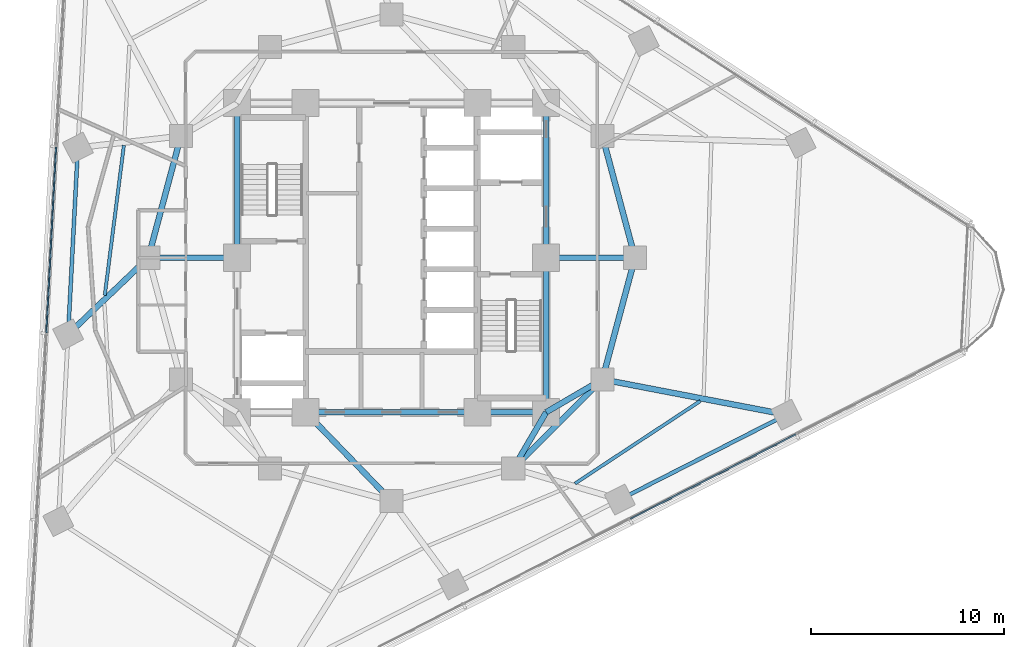
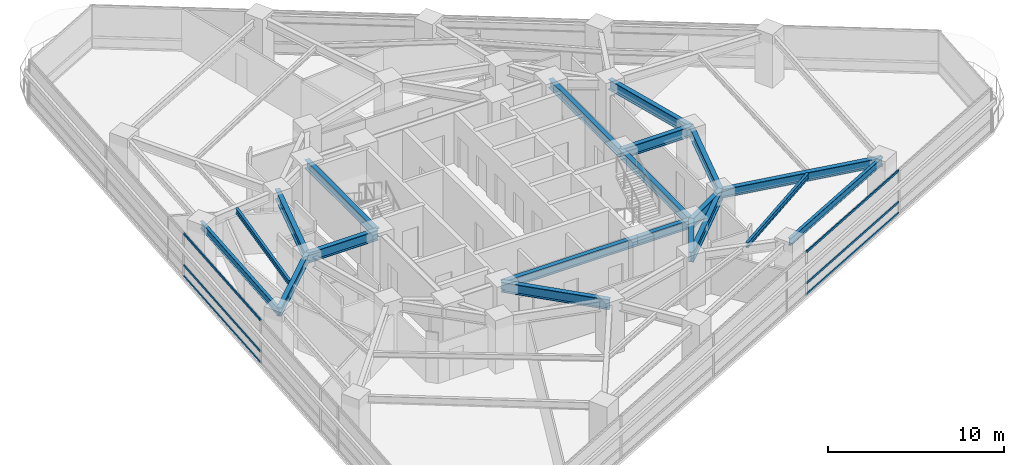
# One storey, part 3 of 14: 20 beams, 6 members, 2 elements without a shape of their own.
"""IFC4 building model written with IfcOpenShell, lengths in metres."""

from ifc_helpers import new_model, si_unit, direction, frame, origin, origin_2d, place, context, subcontext, project, spatial, rectangle, i_section, extrude, material, layer, layer_set, material_profile, profile_set, type_object, element, aggregate, save


model = new_model("IFC4")

# Units and contexts
model_context = context("Model", 3, precision=1e-05, world=origin(), true_north=direction((0.0, 1.0)))
body_context = subcontext(model_context, "Body", "Model", "MODEL_VIEW")
ifc_project = project(units=[si_unit("LENGTHUNIT", "METRE"), si_unit("AREAUNIT", "SQUARE_METRE"), si_unit("VOLUMEUNIT", "CUBIC_METRE"), si_unit("PLANEANGLEUNIT", "RADIAN"), si_unit("MASSUNIT", "GRAM", prefix="KILO")], contexts=[model_context])

# Site, building, storey
site_placement = place(None, origin())
site = spatial("IfcSite", under=ifc_project, at=site_placement, CompositionType="ELEMENT")
building_placement = place(site_placement, origin())
building = spatial("IfcBuilding", under=site, at=building_placement, Name="Terralouvre Media Tower", CompositionType="ELEMENT")
storey_placement = place(building_placement, frame((0.0, 0.0, 134.699951171875)))
storey = spatial("IfcBuildingStorey", under=building, at=storey_placement, Name="L34", CompositionType="ELEMENT", Elevation=134.699951171875)

# Beams
ifc_material_1 = material(Name="Structural steel S355J2", Category="steel")
ifc_material_profile_1 = material_profile(ifc_material_1, i_section(OverallWidth=0.169921875, OverallDepth=0.360107421875, WebThickness=0.008056640625, FlangeThickness=0.0126953125, at=origin_2d()), Name="IPE 360")
ifc_profile_set_1 = profile_set([ifc_material_profile_1], Name="Structural steel S355J2")
beam_type_1 = type_object("IfcBeamType", Name="Composite Floor Joist J-IPE360 (IPE 360)", PredefinedType="JOIST", material=ifc_profile_set_1)
beam_1_placement = place(storey_placement, frame((9.494873046875, -11.69140625, 3.320068359375), z_axis=(0.835078132026, 0.550131360142, 0.0), x_axis=(-0.550131360142, 0.835078132026, 0.0)))
element("IfcBeam", 1, at=beam_1_placement, inside=storey, type_object=beam_type_1, Name="L34 Framing Beam JT-L34-05", PredefinedType="JOIST", context=body_context, shape_type="SweptSolid", body=[
    extrude(i_section(OverallWidth=0.169921875, OverallDepth=0.360107421875, WebThickness=0.008056640625, FlangeThickness=0.0126953125, at=origin_2d()), origin(), (0.0, 0.0, 1.0), 7.75830078125),
])
beam_2_placement = place(storey_placement, frame((-13.864990234375, 5.81787109375, 3.320068359375), z_axis=(-0.126325695796, -0.991988819787, 0.0), x_axis=(0.991988819787, -0.126325695796, 0.0)))
element("IfcBeam", 2, at=beam_2_placement, inside=storey, type_object=beam_type_1, Name="L34 Framing Beam JT-L34-12", PredefinedType="JOIST", context=body_context, shape_type="SweptSolid", body=[
    extrude(i_section(OverallWidth=0.169921875, OverallDepth=0.360107421875, WebThickness=0.008056640625, FlangeThickness=0.0126953125, at=origin_2d()), origin(), (0.0, 0.0, 1.0), 7.8291015625),
])

# Curtain wall, members
ifc_material_2 = material(Name="Low-iron laminated double glazing with solar-control coating", Category="glass")
ifc_layer = layer(ifc_material_2, 0.1650390625, Name="Production Studio Tower Curtain Wall CW-03")
ifc_layer_set = layer_set([ifc_layer], Name="Low-iron laminated double glazing with solar-control coating")
curtain_wall_type = type_object("IfcCurtainWallType", Name="Production Studio Tower Curtain Wall CW-03", PredefinedType="NOTDEFINED", material=ifc_layer_set)
curtain_wall_1_placement = place(storey_placement, origin())
curtain_wall_1 = element("IfcCurtainWall", 3, at=curtain_wall_1_placement, inside=storey, type_object=curtain_wall_type, Name="L34 Facade Curtain Wall F0", PredefinedType="NOTDEFINED")
ifc_material_3 = material(Name="Anodised extruded aluminium 6063-T6", Category="aluminium")
ifc_material_profile_2 = material_profile(ifc_material_3, rectangle(XDim=0.074951171875, YDim=0.14990234375, at=origin_2d()), Name="ALU 75x150")
ifc_profile_set_2 = profile_set([ifc_material_profile_2], Name="Anodised extruded aluminium 6063-T6")
member_type = type_object("IfcMemberType", Name="Curtain-Wall Horizontal Transom TR-150", PredefinedType="USERDEFINED", material=ifc_profile_set_2)
member_1_placement = place(storey_placement, frame((12.359619140625, -13.513671875, 0.03759765625), z_axis=(0.891005548508, 0.453992414615, 0.0), x_axis=(-0.453992414615, 0.891005548508, 0.0)))
member_1 = element("IfcMember", 4, at=member_1_placement, type_object=member_type, Name="CW-03 transom 4.1", ObjectType="TRANSOM", PredefinedType="USERDEFINED", context=body_context, shape_type="SweptSolid", body=[
    extrude(rectangle(XDim=0.074951171875, YDim=0.14990234375, at=origin_2d()), origin(), (0.0, 0.0, 1.0), 9.60498046875),
])
member_2_placement = place(storey_placement, frame((12.359619140625, -13.513671875, 0.800048828125), z_axis=(0.891005548508, 0.453992414615, 0.0), x_axis=(-0.453992414615, 0.891005548508, 0.0)))
member_2 = element("IfcMember", 5, at=member_2_placement, type_object=member_type, Name="CW-03 transom 4.2", ObjectType="TRANSOM", PredefinedType="USERDEFINED", context=body_context, shape_type="SweptSolid", body=[
    extrude(rectangle(XDim=0.074951171875, YDim=0.14990234375, at=origin_2d()), origin(), (0.0, 0.0, 1.0), 9.60498046875),
])
member_3_placement = place(storey_placement, frame((12.359619140625, -13.513671875, 2.962646484375), z_axis=(0.891005548508, 0.453992414615, 0.0), x_axis=(-0.453992414615, 0.891005548508, 0.0)))
member_3 = element("IfcMember", 6, at=member_3_placement, type_object=member_type, Name="CW-03 transom 4.3", ObjectType="TRANSOM", PredefinedType="USERDEFINED", context=body_context, shape_type="SweptSolid", body=[
    extrude(rectangle(XDim=0.074951171875, YDim=0.14990234375, at=origin_2d()), origin(), (0.0, 0.0, 1.0), 9.60498046875),
])
aggregate(curtain_wall_1, [member_1, member_2, member_3])

curtain_wall_2_placement = place(storey_placement, origin())
curtain_wall_2 = element("IfcCurtainWall", 7, at=curtain_wall_2_placement, inside=storey, type_object=curtain_wall_type, Name="L34 Facade Curtain Wall F2", PredefinedType="NOTDEFINED")
member_4_placement = place(storey_placement, frame((-17.37646484375, 5.7197265625, 0.03759765625), z_axis=(-0.052336036535, -0.998629530547, 0.0), x_axis=(0.998629530547, -0.052336036535, 0.0)))
member_4 = element("IfcMember", 8, at=member_4_placement, type_object=member_type, Name="CW-03 transom 3.1", ObjectType="TRANSOM", PredefinedType="USERDEFINED", context=body_context, shape_type="SweptSolid", body=[
    extrude(rectangle(XDim=0.074951171875, YDim=0.14990234375, at=origin_2d()), origin(), (0.0, 0.0, 1.0), 9.60498046875),
])
member_5_placement = place(storey_placement, frame((-17.37646484375, 5.7197265625, 0.800048828125), z_axis=(-0.052336036535, -0.998629530547, 0.0), x_axis=(0.998629530547, -0.052336036535, 0.0)))
member_5 = element("IfcMember", 9, at=member_5_placement, type_object=member_type, Name="CW-03 transom 3.2", ObjectType="TRANSOM", PredefinedType="USERDEFINED", context=body_context, shape_type="SweptSolid", body=[
    extrude(rectangle(XDim=0.074951171875, YDim=0.14990234375, at=origin_2d()), origin(), (0.0, 0.0, 1.0), 9.60498046875),
])
member_6_placement = place(storey_placement, frame((-17.37646484375, 5.7197265625, 2.962646484375), z_axis=(-0.052336036535, -0.998629530547, 0.0), x_axis=(0.998629530547, -0.052336036535, 0.0)))
member_6 = element("IfcMember", 10, at=member_6_placement, type_object=member_type, Name="CW-03 transom 3.3", ObjectType="TRANSOM", PredefinedType="USERDEFINED", context=body_context, shape_type="SweptSolid", body=[
    extrude(rectangle(XDim=0.074951171875, YDim=0.14990234375, at=origin_2d()), origin(), (0.0, 0.0, 1.0), 9.60498046875),
])
aggregate(curtain_wall_2, [member_4, member_5, member_6])

# Beams
ifc_material_4 = material(Name="Structural steel S355J2", Category="steel")
ifc_material_profile_3 = material_profile(ifc_material_4, i_section(OverallWidth=0.199951171875, OverallDepth=0.5, WebThickness=0.01025390625, FlangeThickness=0.01611328125, at=origin_2d()), Name="IPE 500")
ifc_profile_set_3 = profile_set([ifc_material_profile_3], Name="Structural steel S355J2")
beam_type_2 = type_object("IfcBeamType", Name="Perimeter Spandrel Beam SPB-500 (IPE 500)", PredefinedType="SPANDREL", material=ifc_profile_set_3)
for number, where, z_axis, x_axis, name in (
    (11, (11.813232421875, -12.523681640625, 3.25), (0.891011779054, 0.453980186338, 0.0), (-0.453980186338, 0.891011779054, 0.0), "L34 Framing Beam BM-L34-PR05"),
    (12, (-16.245849609375, 5.697998046875, 3.25), (-0.052333792648, -0.998629648141, 0.0), (0.998629648141, -0.052333792648, 0.0), "L34 Framing Beam BM-L34-PR12"),
):
    element("IfcBeam", number, at=place(storey_placement, frame(where, z_axis=z_axis, x_axis=x_axis)), inside=storey, type_object=beam_type_2, Name=name, PredefinedType="SPANDREL", context=body_context, shape_type="SweptSolid", body=[
        extrude(i_section(OverallWidth=0.199951171875, OverallDepth=0.5, WebThickness=0.01025390625, FlangeThickness=0.01611328125, at=origin_2d()), origin(), (0.0, 0.0, 1.0), 9.679931640625),
    ])
ifc_material_5 = material(Name="Structural steel S460M", Category="steel")
ifc_material_profile_4 = material_profile(ifc_material_5, i_section(OverallWidth=0.300048828125, OverallDepth=0.60009765625, WebThickness=0.015380859375, FlangeThickness=0.030029296875, at=origin_2d()), Name="HEB 600")
ifc_profile_set_4 = profile_set([ifc_material_profile_4], Name="Structural steel S460M")
beam_type_3 = type_object("IfcBeamType", Name="Primary Floor Girder B-HEB600 (HEB 600)", PredefinedType="BEAM", material=ifc_profile_set_4)
beam_3_placement = place(storey_placement, frame((-4.449951171875, -8.0, 3.199951171875), z_axis=(1.0, 0.0, 0.0), x_axis=(0.0, 1.0, 0.0)))
element("IfcBeam", 13, at=beam_3_placement, inside=storey, type_object=beam_type_3, Name="L34 Framing Beam BM-L34-CPR02", PredefinedType="BEAM", context=body_context, shape_type="SweptSolid", body=[
    extrude(i_section(OverallWidth=0.300048828125, OverallDepth=0.60009765625, WebThickness=0.015380859375, FlangeThickness=0.030029296875, at=origin_2d()), origin(), (0.0, 0.0, 1.0), 8.89990234375),
])
beam_4_placement = place(storey_placement, frame((4.449951171875, -8.0, 3.199951171875), z_axis=(1.0, 0.0, 0.0), x_axis=(0.0, 1.0, 0.0)))
element("IfcBeam", 14, at=beam_4_placement, inside=storey, type_object=beam_type_3, Name="L34 Framing Beam BM-L34-CPR03", PredefinedType="BEAM", context=body_context, shape_type="SweptSolid", body=[
    extrude(i_section(OverallWidth=0.300048828125, OverallDepth=0.60009765625, WebThickness=0.015380859375, FlangeThickness=0.030029296875, at=origin_2d()), origin(), (0.0, 0.0, 1.0), 3.550048828125),
])
for number, where, z_axis, x_axis, name in (
    (15, (8.0, -8.0, 3.199951171875), (0.0, 1.0, 0.0), (-1.0, 0.0, 0.0), "L34 Framing Beam BM-L34-CPR04"),
    (16, (8.0, 0.0, 3.199951171875), (0.0, 1.0, 0.0), (-1.0, 0.0, 0.0), "L34 Framing Beam BM-L34-CPR05"),
    (17, (-8.0, 8.0, 3.199951171875), (0.0, -1.0, 0.0), (1.0, 0.0, 0.0), "L34 Framing Beam BM-L34-CPR09"),
):
    element("IfcBeam", number, at=place(storey_placement, frame(where, z_axis=z_axis, x_axis=x_axis)), inside=storey, type_object=beam_type_3, Name=name, PredefinedType="BEAM", context=body_context, shape_type="SweptSolid", body=[
        extrude(i_section(OverallWidth=0.300048828125, OverallDepth=0.60009765625, WebThickness=0.015380859375, FlangeThickness=0.030029296875, at=origin_2d()), origin(), (0.0, 0.0, 1.0), 8.0),
    ])
beam_5_placement = place(storey_placement, frame((-12.60009765625, 0.0, 3.199951171875), z_axis=(-0.722907652864, -0.690944661627, 0.0), x_axis=(0.690944661627, -0.722907652864, 0.0)))
element("IfcBeam", 18, at=beam_5_placement, inside=storey, type_object=beam_type_3, Name="L34 Framing Beam BM-L34-RD01", PredefinedType="BEAM", context=body_context, shape_type="SweptSolid", body=[
    extrude(i_section(OverallWidth=0.300048828125, OverallDepth=0.60009765625, WebThickness=0.015380859375, FlangeThickness=0.030029296875, at=origin_2d()), origin(), (0.0, 0.0, 1.0), 5.743896484375),
])
beam_6_placement = place(storey_placement, frame((10.911865234375, -6.300048828125, 3.199951171875), z_axis=(0.982061695862, -0.188559872511, 0.0), x_axis=(0.188559872511, 0.982061695862, 0.0)))
element("IfcBeam", 19, at=beam_6_placement, inside=storey, type_object=beam_type_3, Name="L34 Framing Beam BM-L34-RD06", PredefinedType="BEAM", context=body_context, shape_type="SweptSolid", body=[
    extrude(i_section(OverallWidth=0.300048828125, OverallDepth=0.60009765625, WebThickness=0.015380859375, FlangeThickness=0.030029296875, at=origin_2d()), origin(), (0.0, 0.0, 1.0), 9.700439453125),
])
ifc_material_6 = material(Name="Structural steel S460M", Category="steel")
ifc_material_profile_5 = material_profile(ifc_material_6, i_section(OverallWidth=0.300048828125, OverallDepth=0.699951171875, WebThickness=0.01708984375, FlangeThickness=0.031982421875, at=origin_2d()), Name="HEB 700")
ifc_profile_set_5 = profile_set([ifc_material_profile_5], Name="Structural steel S460M")
beam_type_4 = type_object("IfcBeamType", Name="Primary Floor Girder B-HEB700 (HEB 700)", PredefinedType="BEAM", material=ifc_profile_set_5)
beam_7_placement = place(storey_placement, frame((6.300048828125, -10.911865234375, 3.150146484375), z_axis=(0.707106781187, 0.707106781187, 0.0), x_axis=(-0.707106781187, 0.707106781187, 0.0)))
element("IfcBeam", 20, at=beam_7_placement, inside=storey, type_object=beam_type_4, Name="L34 Framing Beam BM-L34-MR04", PredefinedType="BEAM", context=body_context, shape_type="SweptSolid", body=[
    extrude(i_section(OverallWidth=0.300048828125, OverallDepth=0.699951171875, WebThickness=0.01708984375, FlangeThickness=0.031982421875, at=origin_2d()), origin(), (0.0, 0.0, 1.0), 6.52197265625),
])
for number, where, z_axis, x_axis, name in (
    (21, (10.911865234375, -6.300048828125, 3.150146484375), (0.258838989821, 0.965920481897, 0.0), (-0.965920481897, 0.258838989821, 0.0), "L34 Framing Beam BM-L34-MR05"),
    (22, (12.60009765625, 0.0, 3.150146484375), (-0.258838989821, 0.965920481897, 0.0), (-0.965920481897, -0.258838989821, 0.0), "L34 Framing Beam BM-L34-MR06"),
    (23, (-10.911865234375, 6.300048828125, 3.150146484375), (-0.258838989821, -0.965920481897, 0.0), (0.965920481897, -0.258838989821, 0.0), "L34 Framing Beam BM-L34-MR11"),
):
    element("IfcBeam", number, at=place(storey_placement, frame(where, z_axis=z_axis, x_axis=x_axis)), inside=storey, type_object=beam_type_4, Name=name, PredefinedType="BEAM", context=body_context, shape_type="SweptSolid", body=[
        extrude(i_section(OverallWidth=0.300048828125, OverallDepth=0.699951171875, WebThickness=0.01708984375, FlangeThickness=0.031982421875, at=origin_2d()), origin(), (0.0, 0.0, 1.0), 6.522216796875),
    ])
beam_8_placement = place(storey_placement, frame((-4.449951171875, -8.0, 3.150146484375), z_axis=(0.695279715726, -0.718739255155, 0.0), x_axis=(0.718739255155, 0.695279715726, 0.0)))
element("IfcBeam", 24, at=beam_8_placement, inside=storey, type_object=beam_type_4, Name="L34 Framing Beam BM-L34-CM03", PredefinedType="BEAM", context=body_context, shape_type="SweptSolid", body=[
    extrude(i_section(OverallWidth=0.300048828125, OverallDepth=0.699951171875, WebThickness=0.01708984375, FlangeThickness=0.031982421875, at=origin_2d()), origin(), (0.0, 0.0, 1.0), 6.400146484375),
])
for number, where, z_axis, x_axis, name in (
    (25, (8.0, -8.0, 3.150146484375), (-0.504172629717, -0.863602894532, 0.0), (0.863602894532, -0.504172629717, 0.0), "L34 Framing Beam BM-L34-CM04"),
    (26, (8.0, -8.0, 3.150146484375), (0.863602894532, 0.504172629717, 0.0), (-0.504172629717, 0.863602894532, 0.0), "L34 Framing Beam BM-L34-CM05"),
):
    element("IfcBeam", number, at=place(storey_placement, frame(where, z_axis=z_axis, x_axis=x_axis)), inside=storey, type_object=beam_type_4, Name=name, PredefinedType="BEAM", context=body_context, shape_type="SweptSolid", body=[
        extrude(i_section(OverallWidth=0.300048828125, OverallDepth=0.699951171875, WebThickness=0.01708984375, FlangeThickness=0.031982421875, at=origin_2d()), origin(), (0.0, 0.0, 1.0), 3.371826171875),
    ])
for number, where, z_axis, x_axis, name in (
    (27, (8.0, 0.0, 3.150146484375), (1.0, 0.0, 0.0), (0.0, 1.0, 0.0), "L34 Framing Beam BM-L34-CM06"),
    (28, (-8.0, 0.0, 3.150146484375), (-1.0, 0.0, 0.0), (0.0, -1.0, 0.0), "L34 Framing Beam BM-L34-CM12"),
):
    element("IfcBeam", number, at=place(storey_placement, frame(where, z_axis=z_axis, x_axis=x_axis)), inside=storey, type_object=beam_type_4, Name=name, PredefinedType="BEAM", context=body_context, shape_type="SweptSolid", body=[
        extrude(i_section(OverallWidth=0.300048828125, OverallDepth=0.699951171875, WebThickness=0.01708984375, FlangeThickness=0.031982421875, at=origin_2d()), origin(), (0.0, 0.0, 1.0), 4.60009765625),
    ])

save(model, "model.ifc")
